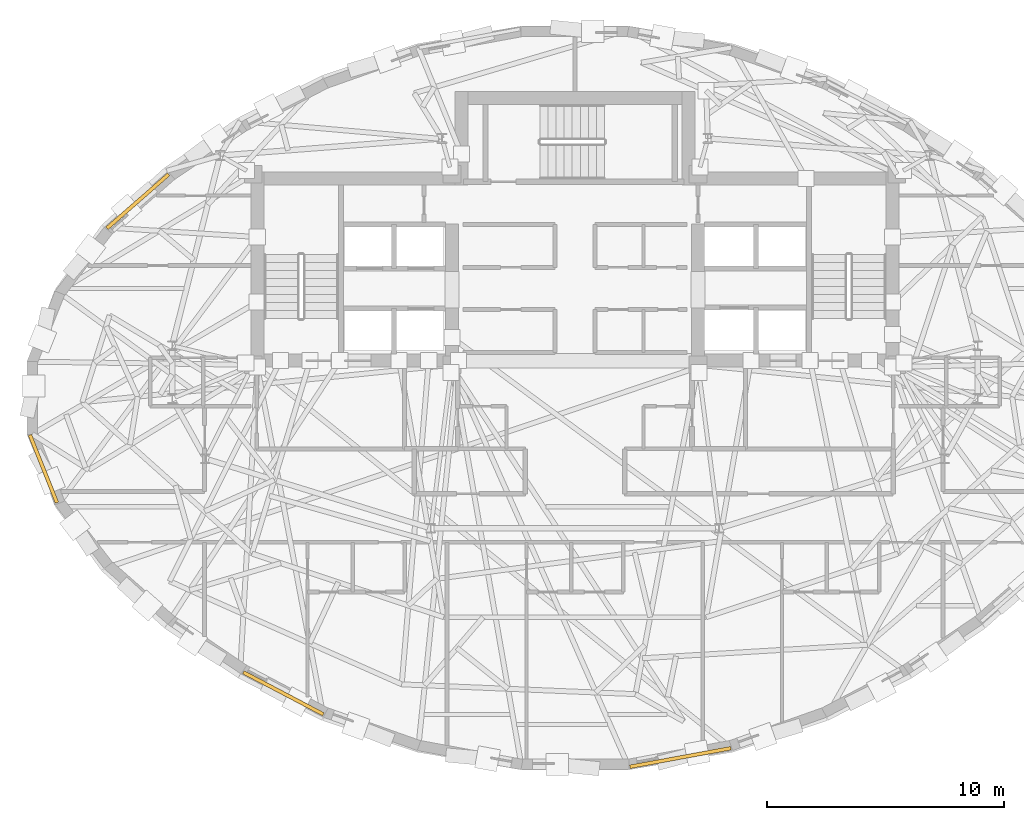
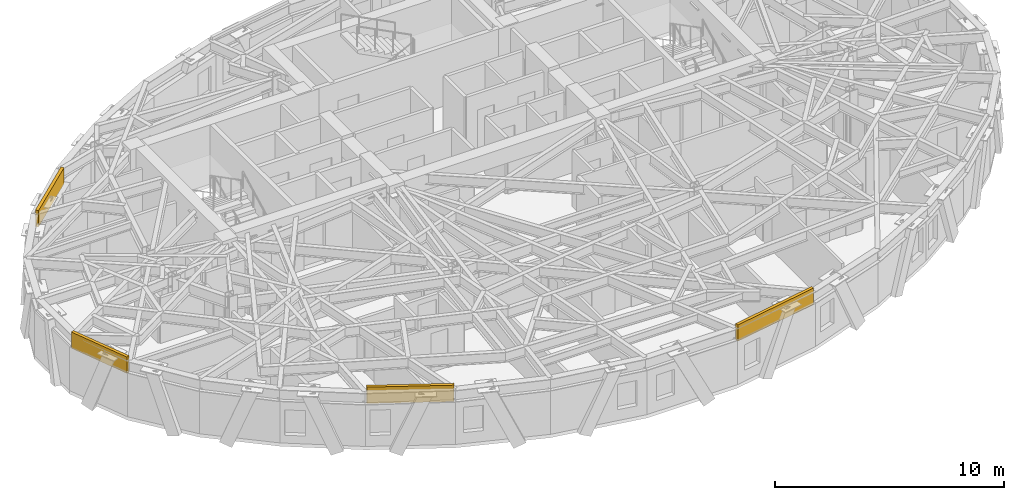
# One storey, part 11 of 13: 4 coverings.
"""IFC4 building model written with IfcOpenShell, lengths in metres."""

import ifcopenshell
import ifcopenshell.guid

model = None  # the IFC model being written
_history = None  # IfcOwnerHistory: only IFC2X3 demands one
_inside = {}  # id of a spatial element -> (the spatial element, [elements in it])
_under = {}  # id of a project, library or spatial element -> (it, [spatial elements below it])
_declared = {}  # id of a project -> (the project, [libraries it declares])
_typed = {}  # id of a type object -> (the type object, [elements of that type])
_made_of = {}  # id of a material, layer set ... -> (it, [elements and type objects made of it])


def new_model(schema):
    """Start an empty IFC model of exactly this schema.

    Asked for "IFC4X3", IfcOpenShell would pick the latest addendum, in which some entities
    have other attributes; the version numbers below select the first issue.
    IFC2X3 requires an IfcOwnerHistory on every rooted entity: one is made here for all.
    """
    global model, _history
    if schema == "IFC4X3":
        model = ifcopenshell.file(schema_version=(4, 3, 0, 0))
    else:
        model = ifcopenshell.file(schema=schema)
    _inside.clear()
    _under.clear()
    _declared.clear()
    _typed.clear()
    _made_of.clear()
    _history = None
    if model.schema == "IFC2X3":
        org = make("IfcOrganization", Name="unknown")
        user = make(
            "IfcPersonAndOrganization",
            ThePerson=make("IfcPerson", FamilyName="unknown"),
            TheOrganization=org,
        )
        app = make(
            "IfcApplication",
            ApplicationDeveloper=org,
            Version="unknown",
            ApplicationFullName="unknown",
            ApplicationIdentifier="unknown",
        )
        _history = make(
            "IfcOwnerHistory",
            OwningUser=user,
            OwningApplication=app,
            ChangeAction="ADDED",
            CreationDate=0,
        )
    return model


def make(cls, **values):
    """One entity of the class cls with the attributes given. An attribute that is None is left unset."""
    return model.create_entity(
        cls, **{name: value for name, value in values.items() if value is not None}
    )


def rooted(cls, **values):
    """An entity with a GlobalId (a new one), such as an element, a storey or a relation."""
    return make(cls, GlobalId=ifcopenshell.guid.new(), OwnerHistory=_history, **values)


def si_unit(unit_type, name, prefix=None):
    """IfcSIUnit, for example si_unit("LENGTHUNIT", "METRE", prefix="MILLI")."""
    return make("IfcSIUnit", UnitType=unit_type, Prefix=prefix, Name=name)


def assignment(units):
    """IfcUnitAssignment: the units of a project."""
    return None if units is None else make("IfcUnitAssignment", Units=units)


def point(xyz):
    """IfcCartesianPoint."""
    return None if xyz is None else make("IfcCartesianPoint", Coordinates=xyz)


def direction(xyz):
    """IfcDirection."""
    return None if xyz is None else make("IfcDirection", DirectionRatios=xyz)


def frame(location, z_axis=None, x_axis=None):
    """IfcAxis2Placement3D, a coordinate frame: its origin and axes. An axis left out is left unset."""
    return make(
        "IfcAxis2Placement3D",
        Location=point(location),
        Axis=direction(z_axis),
        RefDirection=direction(x_axis),
    )


def frame_2d(location, x_axis=None):
    """IfcAxis2Placement2D, a coordinate frame in the plane: its origin and x axis."""
    return make(
        "IfcAxis2Placement2D", Location=point(location), RefDirection=direction(x_axis)
    )


def origin():
    """The frame at (0, 0, 0) with its axes left unset."""
    return frame((0.0, 0.0, 0.0))


def origin_2d():
    """The frame at (0, 0) in the plane with its x axis left unset."""
    return frame_2d((0.0, 0.0))


def place(relative_to, where):
    """IfcLocalPlacement: puts the frame where relative to a parent placement (None: the world)."""
    return make(
        "IfcLocalPlacement", PlacementRelTo=relative_to, RelativePlacement=where
    )


def context(
    kind, dimensions, precision=None, world=None, true_north=None, identifier=None
):
    """IfcGeometricRepresentationContext, for example the 3D "Model" context."""
    return make(
        "IfcGeometricRepresentationContext",
        ContextIdentifier=identifier,
        ContextType=kind,
        CoordinateSpaceDimension=dimensions,
        Precision=precision,
        WorldCoordinateSystem=world,
        TrueNorth=true_north,
    )


def subcontext(parent, identifier, kind, view, scale=None):
    """IfcGeometricRepresentationSubContext, for example "Body" below "Model"."""
    return make(
        "IfcGeometricRepresentationSubContext",
        ContextIdentifier=identifier,
        ContextType=kind,
        ParentContext=parent,
        TargetScale=scale,
        TargetView=view,
    )


def project(units=None, contexts=None):
    """IfcProject with its units and contexts."""
    return rooted(
        "IfcProject",
        Name="project",
        RepresentationContexts=contexts,
        UnitsInContext=assignment(units),
    )


def spatial(cls, under=None, at=None, **own):
    """A site, building, storey or space (cls), placed at a placement, below another one or the project."""
    s = rooted(cls, ObjectPlacement=at, **own)
    if under is not None:
        _under.setdefault(under.id(), (under, []))[1].append(s)
    return s


def profile(cls, at=None, kind="AREA", **sizes):
    """A parametric profile (cls). Its sizes go by their IFC names, for example OverallWidth=200.0."""
    return make(cls, ProfileType=kind, Position=at, **sizes)


def rectangle(**sizes):
    """IfcRectangleProfileDef."""
    return profile("IfcRectangleProfileDef", **sizes)


def extrude(swept, where, along, depth):
    """IfcExtrudedAreaSolid: the profile swept, set in the frame where, extruded along a direction by depth."""
    return make(
        "IfcExtrudedAreaSolid",
        SweptArea=swept,
        Position=where,
        ExtrudedDirection=direction(along),
        Depth=depth,
    )


def shape(context_of_items, identifier, shape_type, items):
    """IfcShapeRepresentation: the items that make up one representation, for example the "Body"."""
    return make(
        "IfcShapeRepresentation",
        ContextOfItems=context_of_items,
        RepresentationIdentifier=identifier,
        RepresentationType=shape_type,
        Items=items,
    )


def material(Name=None, Category=None):
    """IfcMaterial."""
    return make("IfcMaterial", Name=Name, Category=Category)


def layer(
    of_material, thickness, ventilated=None, Name=None, Category=None, Priority=None
):
    """IfcMaterialLayer: one layer of a wall or slab, of a material (None: an air gap)."""
    return make(
        "IfcMaterialLayer",
        Material=of_material,
        LayerThickness=thickness,
        IsVentilated=ventilated,
        Name=Name,
        Category=Category,
        Priority=Priority,
    )


def layer_set(layers, Name=None):
    """IfcMaterialLayerSet."""
    return make("IfcMaterialLayerSet", MaterialLayers=layers, LayerSetName=Name)


def made_of(thing, what):
    """Note that an element or type object is made of a material, layer set ...; save() writes the relation."""
    if what is not None:
        _made_of.setdefault(what.id(), (what, []))[1].append(thing)
    return thing


def type_object(cls, material=None, **own):
    """A type object (cls), such as IfcWallType, which elements share."""
    return made_of(rooted(cls, **own), material)


def element(
    cls,
    number,
    at=None,
    inside=None,
    cuts=None,
    type_object=None,
    material=None,
    context=None,
    identifier="Body",
    shape_type=None,
    held_by="IfcProductDefinitionShape",
    body=None,
    shapes=None,
    **own,
):
    """One element of the class cls, such as IfcWall. Its Tag is "e" and its number.

    at: its placement. inside: the storey or other place that contains it. cuts: it is an
    opening in that element (IfcRelVoidsElement). A single representation is given by context,
    identifier, shape_type and body (its items); several are given by shapes. held_by: the class
    of the entity that holds the representations. save() writes the other relations.
    """
    e = rooted(cls, Tag="e%d" % number, ObjectPlacement=at, **own)
    if body is not None:
        shapes = [shape(context, identifier, shape_type, body)]
    if shapes is not None:
        e.Representation = make(held_by, Representations=shapes)
    if inside is not None:
        _inside.setdefault(inside.id(), (inside, []))[1].append(e)
    if cuts is not None:
        rooted(
            "IfcRelVoidsElement", RelatingBuildingElement=cuts, RelatedOpeningElement=e
        )
    if type_object is not None:
        _typed.setdefault(type_object.id(), (type_object, []))[1].append(e)
    return made_of(e, material)


def aggregate(whole, parts):
    """IfcRelAggregates: a whole, such as a stair, and the parts it consists of."""
    return rooted("IfcRelAggregates", RelatingObject=whole, RelatedObjects=parts)


def save(model, path):
    """Write the relations noted so far, then the file.

    IfcRelAggregates (storeys below a building ...), IfcRelContainedInSpatialStructure (elements
    in a storey), IfcRelDefinesByType, IfcRelAssociatesMaterial and IfcRelDeclares: one each for
    every whole, place, type object, material and project.
    """
    for whole, parts in _under.values():
        aggregate(whole, parts)
    for where, things in _inside.values():
        rooted(
            "IfcRelContainedInSpatialStructure",
            RelatedElements=things,
            RelatingStructure=where,
        )
    for kind, things in _typed.values():
        rooted("IfcRelDefinesByType", RelatedObjects=things, RelatingType=kind)
    for what, things in _made_of.values():
        rooted("IfcRelAssociatesMaterial", RelatedObjects=things, RelatingMaterial=what)
    for by, libraries in _declared.values():
        rooted("IfcRelDeclares", RelatingContext=by, RelatedDefinitions=libraries)
    model.write(path)


model = new_model("IFC4")

# Units and contexts
model_context = context("Model", 3, precision=1e-05, world=origin(), true_north=direction((0.0, 1.0)))
body_context = subcontext(model_context, "Body", "Model", "MODEL_VIEW")
ifc_project = project(units=[si_unit("LENGTHUNIT", "METRE"), si_unit("AREAUNIT", "SQUARE_METRE"), si_unit("VOLUMEUNIT", "CUBIC_METRE"), si_unit("PLANEANGLEUNIT", "RADIAN"), si_unit("MASSUNIT", "GRAM", prefix="KILO")], contexts=[model_context])

# Site, building, storey
site_placement = place(None, origin())
site = spatial("IfcSite", under=ifc_project, at=site_placement, CompositionType="ELEMENT")
building_placement = place(site_placement, origin())
building = spatial("IfcBuilding", under=site, at=building_placement, Name="Keldmark Tower", CompositionType="ELEMENT")
storey_placement = place(building_placement, frame((0.0, 0.0, 219.449951171875)))
storey = spatial("IfcBuildingStorey", under=building, at=storey_placement, Name="L61", CompositionType="ELEMENT", Elevation=219.449951171875)

# Coverings
ifc_material = material(Name="Honed Kasota Buff Dolomitic Limestone", Category="masonry")
ifc_layer = layer(ifc_material, 0.074951171875)
ifc_layer_set = layer_set([ifc_layer], Name="Honed Kasota Buff Dolomitic Limestone")
covering_type = type_object("IfcCoveringType", Name="Kasota Buff Limestone Spandrel Cladding Band", PredefinedType="CLADDING", material=ifc_layer_set)
covering_1_placement = place(storey_placement, frame((-18.475341796875, 8.309814453125, 2.260009765625), z_axis=(0.0, 0.0, 1.0), x_axis=(-0.752748205198, -0.658308544355, 0.0)))
element("IfcCovering", 1, at=covering_1_placement, inside=storey, type_object=covering_type, Name="L61 Kasota Limestone Spandrel Band 13", PredefinedType="CLADDING", context=body_context, shape_type="SweptSolid", body=[
    extrude(rectangle(XDim=3.464599609375, YDim=0.14990234375, at=origin_2d()), origin(), (0.0, 0.0, 1.0), 0.8701171875),
])
covering_2_placement = place(storey_placement, frame((-22.462646484375, -2.99267578125, 2.260009765625), z_axis=(0.0, 0.0, 1.0), x_axis=(0.371221984757, -0.928544149749, 0.0)))
element("IfcCovering", 2, at=covering_2_placement, inside=storey, type_object=covering_type, Name="L61 Kasota Limestone Spandrel Band 17", PredefinedType="CLADDING", context=body_context, shape_type="SweptSolid", body=[
    extrude(rectangle(XDim=3.081787109375, YDim=0.14990234375, at=origin_2d()), origin(), (0.0, 0.0, 1.0), 0.8701171875),
])
covering_3_placement = place(storey_placement, frame((-12.323486328125, -12.48193359375, 2.260009765625), z_axis=(0.0, 0.0, 1.0), x_axis=(0.885052640888, -0.465490948202, 0.0)))
element("IfcCovering", 3, at=covering_3_placement, inside=storey, type_object=covering_type, Name="L61 Kasota Limestone Spandrel Band 21", PredefinedType="CLADDING", context=body_context, shape_type="SweptSolid", body=[
    extrude(rectangle(XDim=3.811279296875, YDim=0.14990234375, at=origin_2d()), origin(), (0.0, 0.0, 1.0), 0.8701171875),
])
covering_4_placement = place(storey_placement, frame((4.452880859375, -15.195556640625, 2.260009765625), z_axis=(0.0, 0.0, 1.0), x_axis=(0.983511554319, 0.18084529997, 0.0)))
element("IfcCovering", 4, at=covering_4_placement, inside=storey, type_object=covering_type, Name="L61 Kasota Limestone Spandrel Band 25", PredefinedType="CLADDING", context=body_context, shape_type="SweptSolid", body=[
    extrude(rectangle(XDim=4.337158203125, YDim=0.14990234375, at=origin_2d()), origin(), (0.0, 0.0, 1.0), 0.8701171875),
])

save(model, "model.ifc")
